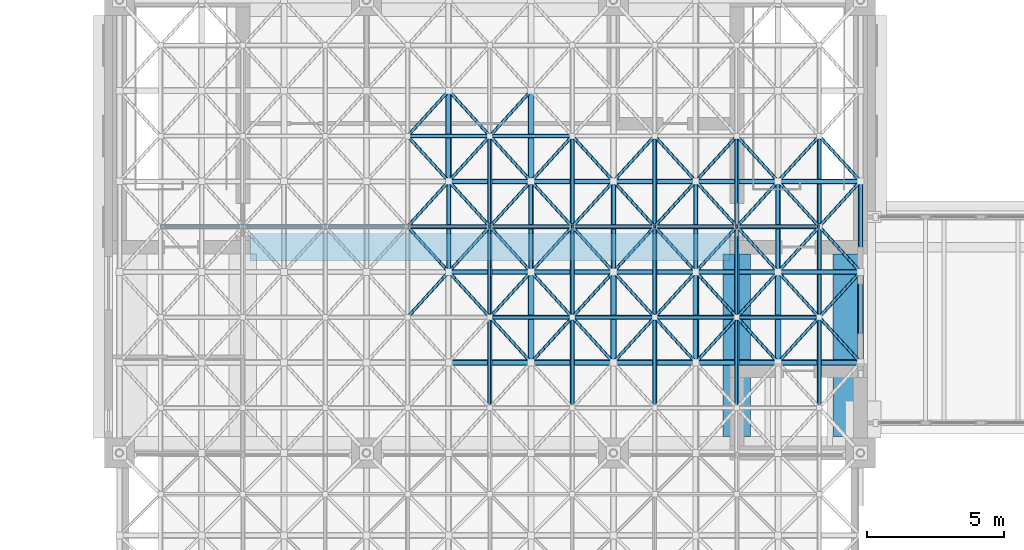
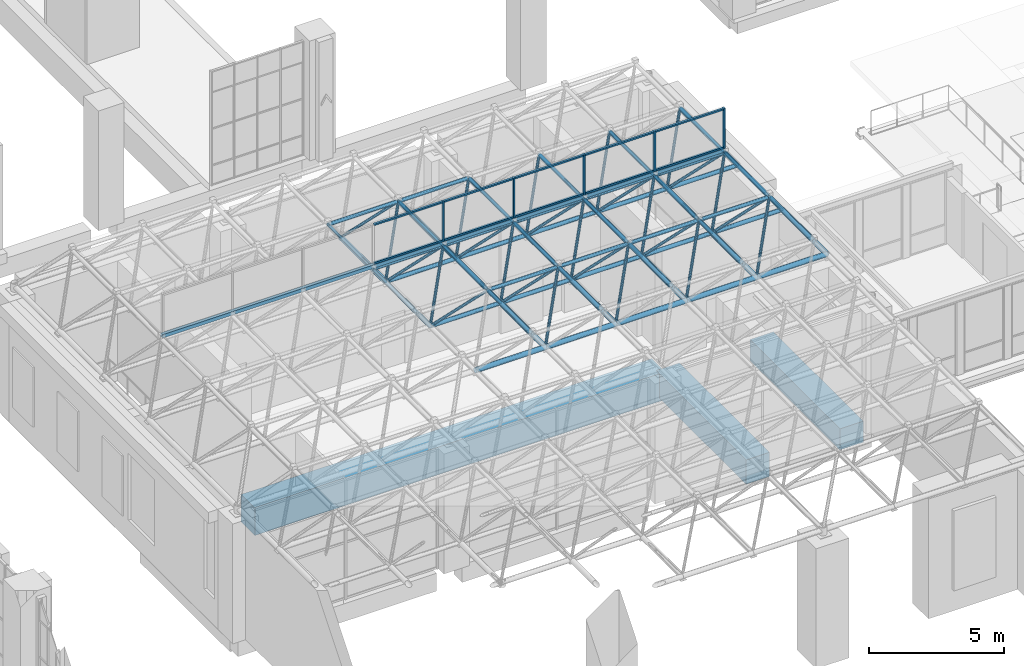
# One storey, part 8 of 53: 126 members, 3 beams, 1 element without a shape of its own.
"""IFC4 building model written with IfcOpenShell, lengths in metres."""

from ifc_helpers import new_model, si_unit, direction, frame, origin, origin_2d, place, context, subcontext, project, spatial, rectangle, hollow_rectangle, hollow_circle, extrude, material, layer, layer_set, material_profile, profile_set, type_object, element, aggregate, save


model = new_model("IFC4")

# Units and contexts
model_context = context("Model", 3, precision=1e-05, world=origin(), true_north=direction((0.0, 1.0)))
body_context = subcontext(model_context, "Body", "Model", "MODEL_VIEW")
ifc_project = project(units=[si_unit("LENGTHUNIT", "METRE"), si_unit("AREAUNIT", "SQUARE_METRE"), si_unit("VOLUMEUNIT", "CUBIC_METRE"), si_unit("PLANEANGLEUNIT", "RADIAN"), si_unit("MASSUNIT", "GRAM", prefix="KILO")], contexts=[model_context])

# Site, building, storey
site_placement = place(None, origin())
site = spatial("IfcSite", under=ifc_project, at=site_placement, CompositionType="ELEMENT")
building_placement = place(site_placement, origin())
building = spatial("IfcBuilding", under=site, at=building_placement, Name="Aurelan Courthouse", CompositionType="ELEMENT")
storey_placement = place(building_placement, frame((0.0, 0.0, 12.0)))
storey = spatial("IfcBuildingStorey", under=building, at=storey_placement, Name="L02", CompositionType="ELEMENT", Elevation=12.0)

# Curtain wall, members
ifc_material_1 = material(Name="Bronze-finished aluminium and glass", Category="aluminium")
ifc_layer = layer(ifc_material_1, 0.10009765625)
ifc_layer_set = layer_set([ifc_layer], Name="Bronze-finished aluminium and glass")
curtain_wall_type = type_object("IfcCurtainWallType", Name="North light 24000 x 1800", PredefinedType="NOTDEFINED", material=ifc_layer_set)
curtain_wall_placement = place(storey_placement, origin())
curtain_wall = element("IfcCurtainWall", 1, at=curtain_wall_placement, inside=storey, type_object=curtain_wall_type, Name="Curtain wall CW-V1-L02-NL01", PredefinedType="NOTDEFINED")
ifc_material_2 = material(Name="Bronze-finished aluminium", Category="aluminium")
ifc_material_profile_1 = material_profile(ifc_material_2, rectangle(XDim=0.1201171875, YDim=0.070068359375, at=origin_2d()), Name="North light mullion 70 x 120")
ifc_profile_set_1 = profile_set([ifc_material_profile_1], Name="Bronze-finished aluminium")
member_type_1 = type_object("IfcMemberType", Name="North light mullion 70 x 120", PredefinedType="MULLION", material=ifc_profile_set_1)
member_1_placement = place(storey_placement, frame((49.5, 20.25, 7.919921875), z_axis=(0.0, 0.0, 1.0), x_axis=(0.0, 1.0, 0.0)))
member_1 = element("IfcMember", 2, at=member_1_placement, type_object=member_type_1, Name="CW-V1-L02-NL01 mullion 5", PredefinedType="MULLION", context=body_context, shape_type="SweptSolid", body=[
    extrude(rectangle(XDim=0.1201171875, YDim=0.070068359375, at=origin_2d()), origin(), (0.0, 0.0, 1.0), 1.7998046875),
])
member_2_placement = place(storey_placement, frame((52.5, 20.25, 7.919921875), z_axis=(0.0, 0.0, 1.0), x_axis=(0.0, 1.0, 0.0)))
member_2 = element("IfcMember", 3, at=member_2_placement, type_object=member_type_1, Name="CW-V1-L02-NL01 mullion 6", PredefinedType="MULLION", context=body_context, shape_type="SweptSolid", body=[
    extrude(rectangle(XDim=0.1201171875, YDim=0.070068359375, at=origin_2d()), origin(), (0.0, 0.0, 1.0), 1.7998046875),
])
member_3_placement = place(storey_placement, frame((55.5, 20.25, 7.919921875), z_axis=(0.0, 0.0, 1.0), x_axis=(0.0, 1.0, 0.0)))
member_3 = element("IfcMember", 4, at=member_3_placement, type_object=member_type_1, Name="CW-V1-L02-NL01 mullion 7", PredefinedType="MULLION", context=body_context, shape_type="SweptSolid", body=[
    extrude(rectangle(XDim=0.1201171875, YDim=0.070068359375, at=origin_2d()), origin(), (0.0, 0.0, 1.0), 1.7998046875),
])
member_4_placement = place(storey_placement, frame((58.5, 20.25, 7.919921875), z_axis=(0.0, 0.0, 1.0), x_axis=(0.0, 1.0, 0.0)))
member_4 = element("IfcMember", 5, at=member_4_placement, type_object=member_type_1, Name="CW-V1-L02-NL01 mullion 8", PredefinedType="MULLION", context=body_context, shape_type="SweptSolid", body=[
    extrude(rectangle(XDim=0.1201171875, YDim=0.070068359375, at=origin_2d()), origin(), (0.0, 0.0, 1.0), 1.7998046875),
])
member_5_placement = place(storey_placement, frame((61.465087890625, 20.25, 7.919921875), z_axis=(0.0, 0.0, 1.0), x_axis=(0.0, 1.0, 0.0)))
member_5 = element("IfcMember", 6, at=member_5_placement, type_object=member_type_1, Name="CW-V1-L02-NL01 mullion 9", PredefinedType="MULLION", context=body_context, shape_type="SweptSolid", body=[
    extrude(rectangle(XDim=0.1201171875, YDim=0.070068359375, at=origin_2d()), origin(), (0.0, 0.0, 1.0), 1.7998046875),
])

# Member
ifc_material_profile_2 = material_profile(ifc_material_2, hollow_rectangle(XDim=0.14990234375, YDim=0.14990234375, WallThickness=0.008056640625, at=origin_2d()), Name="North light rail 150 x 150")
ifc_profile_set_2 = profile_set([ifc_material_profile_2], Name="Bronze-finished aluminium")
member_type_2 = type_object("IfcMemberType", Name="North light rail 150 x 150", PredefinedType="USERDEFINED", material=ifc_profile_set_2)
member_6_placement = place(storey_placement, frame((37.5, 20.25, 7.8447265625), z_axis=(1.0, 0.0, 0.0), x_axis=(0.0, 1.0, 0.0)))
element("IfcMember", 7, at=member_6_placement, inside=storey, type_object=member_type_2, Name="North light sill rail", ObjectType="RAIL", PredefinedType="USERDEFINED", context=body_context, shape_type="SweptSolid", body=[
    extrude(hollow_rectangle(XDim=0.14990234375, YDim=0.14990234375, WallThickness=0.008056640625, at=origin_2d()), origin(), (0.0, 0.0, 1.0), 24.0),
])

ifc_material_profile_3 = material_profile(ifc_material_2, rectangle(XDim=0.090087890625, YDim=0.070068359375, at=origin_2d()), Name="North light transom 70 x 90")
ifc_profile_set_3 = profile_set([ifc_material_profile_3], Name="Bronze-finished aluminium")
member_type_3 = type_object("IfcMemberType", Name="North light transom 70 x 90", PredefinedType="USERDEFINED", material=ifc_profile_set_3)
member_7_placement = place(storey_placement, frame((46.534912109375, 20.25, 7.954833984375), z_axis=(1.0, 0.0, 0.0), x_axis=(0.0, 1.0, 0.0)))
member_7 = element("IfcMember", 8, at=member_7_placement, type_object=member_type_3, Name="CW-V1-L02-NL01 transom 4.1", ObjectType="TRANSOM", PredefinedType="USERDEFINED", context=body_context, shape_type="SweptSolid", body=[
    extrude(rectangle(XDim=0.090087890625, YDim=0.070068359375, at=origin_2d()), origin(), (0.0, 0.0, 1.0), 2.93017578125),
])

member_8_placement = place(storey_placement, frame((46.534912109375, 20.25, 9.684814453125), z_axis=(1.0, 0.0, 0.0), x_axis=(0.0, 1.0, 0.0)))
member_8 = element("IfcMember", 9, at=member_8_placement, type_object=member_type_3, Name="CW-V1-L02-NL01 transom 4.2", ObjectType="TRANSOM", PredefinedType="USERDEFINED", context=body_context, shape_type="SweptSolid", body=[
    extrude(rectangle(XDim=0.090087890625, YDim=0.070068359375, at=origin_2d()), origin(), (0.0, 0.0, 1.0), 2.93017578125),
])

member_9_placement = place(storey_placement, frame((49.534912109375, 20.25, 7.954833984375), z_axis=(1.0, 0.0, 0.0), x_axis=(0.0, 1.0, 0.0)))
member_9 = element("IfcMember", 10, at=member_9_placement, type_object=member_type_3, Name="CW-V1-L02-NL01 transom 5.1", ObjectType="TRANSOM", PredefinedType="USERDEFINED", context=body_context, shape_type="SweptSolid", body=[
    extrude(rectangle(XDim=0.090087890625, YDim=0.070068359375, at=origin_2d()), origin(), (0.0, 0.0, 1.0), 2.93017578125),
])

member_10_placement = place(storey_placement, frame((49.534912109375, 20.25, 9.684814453125), z_axis=(1.0, 0.0, 0.0), x_axis=(0.0, 1.0, 0.0)))
member_10 = element("IfcMember", 11, at=member_10_placement, type_object=member_type_3, Name="CW-V1-L02-NL01 transom 5.2", ObjectType="TRANSOM", PredefinedType="USERDEFINED", context=body_context, shape_type="SweptSolid", body=[
    extrude(rectangle(XDim=0.090087890625, YDim=0.070068359375, at=origin_2d()), origin(), (0.0, 0.0, 1.0), 2.93017578125),
])

member_11_placement = place(storey_placement, frame((52.534912109375, 20.25, 7.954833984375), z_axis=(1.0, 0.0, 0.0), x_axis=(0.0, 1.0, 0.0)))
member_11 = element("IfcMember", 12, at=member_11_placement, type_object=member_type_3, Name="CW-V1-L02-NL01 transom 6.1", ObjectType="TRANSOM", PredefinedType="USERDEFINED", context=body_context, shape_type="SweptSolid", body=[
    extrude(rectangle(XDim=0.090087890625, YDim=0.070068359375, at=origin_2d()), origin(), (0.0, 0.0, 1.0), 2.93017578125),
])

member_12_placement = place(storey_placement, frame((52.534912109375, 20.25, 9.684814453125), z_axis=(1.0, 0.0, 0.0), x_axis=(0.0, 1.0, 0.0)))
member_12 = element("IfcMember", 13, at=member_12_placement, type_object=member_type_3, Name="CW-V1-L02-NL01 transom 6.2", ObjectType="TRANSOM", PredefinedType="USERDEFINED", context=body_context, shape_type="SweptSolid", body=[
    extrude(rectangle(XDim=0.090087890625, YDim=0.070068359375, at=origin_2d()), origin(), (0.0, 0.0, 1.0), 2.93017578125),
])

member_13_placement = place(storey_placement, frame((55.534912109375, 20.25, 7.954833984375), z_axis=(1.0, 0.0, 0.0), x_axis=(0.0, 1.0, 0.0)))
member_13 = element("IfcMember", 14, at=member_13_placement, type_object=member_type_3, Name="CW-V1-L02-NL01 transom 7.1", ObjectType="TRANSOM", PredefinedType="USERDEFINED", context=body_context, shape_type="SweptSolid", body=[
    extrude(rectangle(XDim=0.090087890625, YDim=0.070068359375, at=origin_2d()), origin(), (0.0, 0.0, 1.0), 2.93017578125),
])

member_14_placement = place(storey_placement, frame((55.534912109375, 20.25, 9.684814453125), z_axis=(1.0, 0.0, 0.0), x_axis=(0.0, 1.0, 0.0)))
member_14 = element("IfcMember", 15, at=member_14_placement, type_object=member_type_3, Name="CW-V1-L02-NL01 transom 7.2", ObjectType="TRANSOM", PredefinedType="USERDEFINED", context=body_context, shape_type="SweptSolid", body=[
    extrude(rectangle(XDim=0.090087890625, YDim=0.070068359375, at=origin_2d()), origin(), (0.0, 0.0, 1.0), 2.93017578125),
])

member_15_placement = place(storey_placement, frame((58.534912109375, 20.25, 7.954833984375), z_axis=(1.0, 0.0, 0.0), x_axis=(0.0, 1.0, 0.0)))
member_15 = element("IfcMember", 16, at=member_15_placement, type_object=member_type_3, Name="CW-V1-L02-NL01 transom 8.1", ObjectType="TRANSOM", PredefinedType="USERDEFINED", context=body_context, shape_type="SweptSolid", body=[
    extrude(rectangle(XDim=0.090087890625, YDim=0.070068359375, at=origin_2d()), origin(), (0.0, 0.0, 1.0), 2.89501953125),
])

member_16_placement = place(storey_placement, frame((58.534912109375, 20.25, 9.684814453125), z_axis=(1.0, 0.0, 0.0), x_axis=(0.0, 1.0, 0.0)))
member_16 = element("IfcMember", 17, at=member_16_placement, type_object=member_type_3, Name="CW-V1-L02-NL01 transom 8.2", ObjectType="TRANSOM", PredefinedType="USERDEFINED", context=body_context, shape_type="SweptSolid", body=[
    extrude(rectangle(XDim=0.090087890625, YDim=0.070068359375, at=origin_2d()), origin(), (0.0, 0.0, 1.0), 2.89501953125),
])

aggregate(curtain_wall, [member_1, member_2, member_3, member_4, member_5, member_7, member_8, member_9, member_10, member_11, member_12, member_13, member_14, member_15, member_16])

# Beams
ifc_material_3 = material(Name="Concrete C50", Category="concrete")
ifc_material_profile_4 = material_profile(ifc_material_3, rectangle(XDim=1.0, YDim=0.949951171875, at=origin_2d()), Name="RC 1000 x 950")
ifc_profile_set_4 = profile_set([ifc_material_profile_4], Name="Concrete C50")
beam_type_1 = type_object("IfcBeamType", Name="PT girder 1000 x 950", PredefinedType="BEAM", material=ifc_profile_set_4)
beam_1_placement = place(storey_placement, frame((62.5, 12.60009765625, -0.77490234375), z_axis=(0.0, 1.0, 0.0), x_axis=(-1.0, 0.0, 0.0)))
element("IfcBeam", 18, at=beam_1_placement, inside=storey, type_object=beam_type_1, Name="Girder GB-8BC-E", PredefinedType="BEAM", context=body_context, shape_type="SweptSolid", body=[
    extrude(rectangle(XDim=1.0, YDim=0.949951171875, at=origin_2d()), origin(), (0.0, 0.0, 1.0), 6.64990234375),
])
ifc_material_4 = material(Name="Concrete C40", Category="concrete")
ifc_material_profile_5 = material_profile(ifc_material_4, rectangle(XDim=1.0, YDim=1.10009765625, at=origin_2d()), Name="RC 1000 x 1100")
ifc_profile_set_5 = profile_set([ifc_material_profile_5], Name="Concrete C40")
beam_type_2 = type_object("IfcBeamType", Name="RC trimmer beam 1000 x 1100", PredefinedType="JOIST", material=ifc_profile_set_5)
beam_2_placement = place(storey_placement, frame((58.5, 12.60009765625, -0.85009765625), z_axis=(0.0, 1.0, 0.0), x_axis=(-1.0, 0.0, 0.0)))
element("IfcBeam", 19, at=beam_2_placement, inside=storey, type_object=beam_type_2, Name="Trimmer beam TB-L02-002", PredefinedType="JOIST", context=body_context, shape_type="SweptSolid", body=[
    extrude(rectangle(XDim=1.0, YDim=1.10009765625, at=origin_2d()), origin(), (0.0, 0.0, 1.0), 6.64990234375),
])
ifc_material_profile_6 = material_profile(ifc_material_4, rectangle(XDim=1.0, YDim=1.25, at=origin_2d()), Name="RC 1000 x 1250")
ifc_profile_set_6 = profile_set([ifc_material_profile_6], Name="Concrete C40")
beam_type_3 = type_object("IfcBeamType", Name="RC trimmer beam 1000 x 1250", PredefinedType="JOIST", material=ifc_profile_set_6)
beam_3_placement = place(storey_placement, frame((40.75, 19.5, -0.925048828125), z_axis=(1.0, 0.0, 0.0), x_axis=(0.0, 1.0, 0.0)))
element("IfcBeam", 20, at=beam_3_placement, inside=storey, type_object=beam_type_3, Name="Trimmer beam TB-L02-003", PredefinedType="JOIST", context=body_context, shape_type="SweptSolid", body=[
    extrude(rectangle(XDim=1.0, YDim=1.25, at=origin_2d()), origin(), (0.0, 0.0, 1.0), 17.5),
])

# Members
ifc_material_5 = material(Name="Steel S355", Category="steel")
ifc_material_profile_7 = material_profile(ifc_material_5, hollow_circle(Radius=0.07958984375, WallThickness=0.006103515625, at=origin_2d()), Name="CHS 159 x 6")
ifc_profile_set_7 = profile_set([ifc_material_profile_7], Name="Steel S355")
member_type_4 = type_object("IfcMemberType", Name="Space frame chord CHS 159 x 6", PredefinedType="CHORD", material=ifc_profile_set_7)
for number, where, z_axis, x_axis, name in (
    (21, (49.5, 16.949951171875, 7.699951171875), (1.0, 0.0, 0.0), (0.0, 1.0, 0.0), "Space frame top chord SF-T2"),
    (22, (52.5, 16.949951171875, 7.699951171875), (1.0, 0.0, 0.0), (0.0, 1.0, 0.0), "Space frame top chord SF-T2"),
    (23, (55.5, 16.949951171875, 7.699951171875), (1.0, 0.0, 0.0), (0.0, 1.0, 0.0), "Space frame top chord SF-T2"),
    (24, (58.5, 16.949951171875, 7.699951171875), (1.0, 0.0, 0.0), (0.0, 1.0, 0.0), "Space frame top chord SF-T2"),
    (25, (46.5, 20.25, 7.699951171875), (1.0, 0.0, 0.0), (0.0, 1.0, 0.0), "Space frame top chord SF-T2"),
    (26, (49.5, 20.25, 7.699951171875), (1.0, 0.0, 0.0), (0.0, 1.0, 0.0), "Space frame top chord SF-T2"),
    (27, (52.5, 20.25, 7.699951171875), (1.0, 0.0, 0.0), (0.0, 1.0, 0.0), "Space frame top chord SF-T2"),
    (28, (55.5, 20.25, 7.699951171875), (1.0, 0.0, 0.0), (0.0, 1.0, 0.0), "Space frame top chord SF-T2"),
    (29, (58.5, 20.25, 7.699951171875), (1.0, 0.0, 0.0), (0.0, 1.0, 0.0), "Space frame top chord SF-T2"),
    (30, (46.5, 23.550048828125, 7.699951171875), (1.0, 0.0, 0.0), (0.0, 1.0, 0.0), "Space frame top chord SF-T2"),
    (31, (49.5, 23.550048828125, 7.699951171875), (1.0, 0.0, 0.0), (0.0, 1.0, 0.0), "Space frame top chord SF-T2"),
):
    element("IfcMember", number, at=place(storey_placement, frame(where, z_axis=z_axis, x_axis=x_axis)), inside=storey, type_object=member_type_4, Name=name, PredefinedType="CHORD", context=body_context, shape_type="SweptSolid", body=[
        extrude(hollow_circle(Radius=0.07958984375, WallThickness=0.006103515625, at=origin_2d()), origin(), (0.0, 0.0, 1.0), 3.0),
    ])
for number, where, z_axis, x_axis, name in (
    (32, (49.5, 13.64990234375, 7.699951171875), (0.0, 1.0, 0.0), (-1.0, 0.0, 0.0), "Space frame top chord SF-T2"),
    (33, (49.5, 16.949951171875, 7.699951171875), (0.0, 1.0, 0.0), (-1.0, 0.0, 0.0), "Space frame top chord SF-T2"),
    (34, (49.5, 20.25, 7.699951171875), (0.0, 1.0, 0.0), (-1.0, 0.0, 0.0), "Space frame top chord SF-T2"),
    (35, (52.5, 13.64990234375, 7.699951171875), (0.0, 1.0, 0.0), (-1.0, 0.0, 0.0), "Space frame top chord SF-T2"),
    (36, (52.5, 16.949951171875, 7.699951171875), (0.0, 1.0, 0.0), (-1.0, 0.0, 0.0), "Space frame top chord SF-T2"),
    (37, (52.5, 20.25, 7.699951171875), (0.0, 1.0, 0.0), (-1.0, 0.0, 0.0), "Space frame top chord SF-T2"),
    (38, (55.5, 13.64990234375, 7.699951171875), (0.0, 1.0, 0.0), (-1.0, 0.0, 0.0), "Space frame top chord SF-T2"),
    (39, (55.5, 16.949951171875, 7.699951171875), (0.0, 1.0, 0.0), (-1.0, 0.0, 0.0), "Space frame top chord SF-T2"),
    (40, (55.5, 20.25, 7.699951171875), (0.0, 1.0, 0.0), (-1.0, 0.0, 0.0), "Space frame top chord SF-T2"),
    (41, (58.5, 13.64990234375, 7.699951171875), (0.0, 1.0, 0.0), (-1.0, 0.0, 0.0), "Space frame top chord SF-T2"),
    (42, (58.5, 16.949951171875, 7.699951171875), (0.0, 1.0, 0.0), (-1.0, 0.0, 0.0), "Space frame top chord SF-T2"),
    (43, (58.5, 20.25, 7.699951171875), (0.0, 1.0, 0.0), (-1.0, 0.0, 0.0), "Space frame top chord SF-T2"),
):
    element("IfcMember", number, at=place(storey_placement, frame(where, z_axis=z_axis, x_axis=x_axis)), inside=storey, type_object=member_type_4, Name=name, PredefinedType="CHORD", context=body_context, shape_type="SweptSolid", body=[
        extrude(hollow_circle(Radius=0.07958984375, WallThickness=0.006103515625, at=origin_2d()), origin(), (0.0, 0.0, 1.0), 3.300048828125),
    ])
ifc_material_profile_8 = material_profile(ifc_material_5, hollow_circle(Radius=0.084228515625, WallThickness=0.008056640625, at=origin_2d()), Name="CHS 168.3 x 8")
ifc_profile_set_8 = profile_set([ifc_material_profile_8], Name="Steel S355")
member_type_5 = type_object("IfcMemberType", Name="Space frame chord CHS 168.3 x 8", PredefinedType="CHORD", material=ifc_profile_set_8)
for number, where, z_axis, x_axis, name in (
    (44, (61.5, 13.64990234375, 7.699951171875), (0.0, 1.0, 0.0), (-1.0, 0.0, 0.0), "Space frame top chord SF-T3"),
    (45, (61.5, 16.949951171875, 7.699951171875), (0.0, 1.0, 0.0), (-1.0, 0.0, 0.0), "Space frame top chord SF-T3"),
    (46, (61.5, 20.25, 7.699951171875), (0.0, 1.0, 0.0), (-1.0, 0.0, 0.0), "Space frame top chord SF-T3"),
):
    element("IfcMember", number, at=place(storey_placement, frame(where, z_axis=z_axis, x_axis=x_axis)), inside=storey, type_object=member_type_5, Name=name, PredefinedType="CHORD", context=body_context, shape_type="SweptSolid", body=[
        extrude(hollow_circle(Radius=0.084228515625, WallThickness=0.008056640625, at=origin_2d()), origin(), (0.0, 0.0, 1.0), 3.300048828125),
    ])
ifc_material_profile_9 = material_profile(ifc_material_5, hollow_circle(Radius=0.0888671875, WallThickness=0.00634765625, at=origin_2d()), Name="CHS 177.8 x 6.3")
ifc_profile_set_9 = profile_set([ifc_material_profile_9], Name="Steel S355")
member_type_6 = type_object("IfcMemberType", Name="Space frame chord CHS 177.8 x 6.3", PredefinedType="CHORD", material=ifc_profile_set_9)
for number, where, z_axis, x_axis, name in (
    (47, (48.0, 18.60009765625, 5.60009765625), (1.0, 0.0, 0.0), (0.0, 1.0, 0.0), "Space frame bottom chord SF-B2"),
    (48, (51.0, 18.60009765625, 5.60009765625), (1.0, 0.0, 0.0), (0.0, 1.0, 0.0), "Space frame bottom chord SF-B2"),
    (49, (54.0, 18.60009765625, 5.60009765625), (1.0, 0.0, 0.0), (0.0, 1.0, 0.0), "Space frame bottom chord SF-B2"),
    (50, (57.0, 18.60009765625, 5.60009765625), (1.0, 0.0, 0.0), (0.0, 1.0, 0.0), "Space frame bottom chord SF-B2"),
    (51, (60.0, 18.60009765625, 5.60009765625), (1.0, 0.0, 0.0), (0.0, 1.0, 0.0), "Space frame bottom chord SF-B2"),
    (52, (48.0, 21.89990234375, 5.60009765625), (1.0, 0.0, 0.0), (0.0, 1.0, 0.0), "Space frame bottom chord SF-B2"),
    (53, (51.0, 21.89990234375, 5.60009765625), (1.0, 0.0, 0.0), (0.0, 1.0, 0.0), "Space frame bottom chord SF-B2"),
    (54, (54.0, 21.89990234375, 5.60009765625), (1.0, 0.0, 0.0), (0.0, 1.0, 0.0), "Space frame bottom chord SF-B2"),
    (55, (57.0, 21.89990234375, 5.60009765625), (1.0, 0.0, 0.0), (0.0, 1.0, 0.0), "Space frame bottom chord SF-B2"),
    (56, (60.0, 21.89990234375, 5.60009765625), (1.0, 0.0, 0.0), (0.0, 1.0, 0.0), "Space frame bottom chord SF-B2"),
):
    element("IfcMember", number, at=place(storey_placement, frame(where, z_axis=z_axis, x_axis=x_axis)), inside=storey, type_object=member_type_6, Name=name, PredefinedType="CHORD", context=body_context, shape_type="SweptSolid", body=[
        extrude(hollow_circle(Radius=0.0888671875, WallThickness=0.00634765625, at=origin_2d()), origin(), (0.0, 0.0, 1.0), 3.0),
    ])
for number, where, z_axis, x_axis, name in (
    (57, (48.0, 18.60009765625, 5.60009765625), (0.0, 1.0, 0.0), (-1.0, 0.0, 0.0), "Space frame bottom chord SF-B2"),
    (58, (51.0, 18.60009765625, 5.60009765625), (0.0, 1.0, 0.0), (-1.0, 0.0, 0.0), "Space frame bottom chord SF-B2"),
    (59, (54.0, 18.60009765625, 5.60009765625), (0.0, 1.0, 0.0), (-1.0, 0.0, 0.0), "Space frame bottom chord SF-B2"),
    (60, (57.0, 18.60009765625, 5.60009765625), (0.0, 1.0, 0.0), (-1.0, 0.0, 0.0), "Space frame bottom chord SF-B2"),
    (61, (60.0, 18.60009765625, 5.60009765625), (0.0, 1.0, 0.0), (-1.0, 0.0, 0.0), "Space frame bottom chord SF-B2"),
    (62, (63.0, 18.60009765625, 5.60009765625), (0.0, 1.0, 0.0), (-1.0, 0.0, 0.0), "Space frame bottom chord SF-B2"),
):
    element("IfcMember", number, at=place(storey_placement, frame(where, z_axis=z_axis, x_axis=x_axis)), inside=storey, type_object=member_type_6, Name=name, PredefinedType="CHORD", context=body_context, shape_type="SweptSolid", body=[
        extrude(hollow_circle(Radius=0.0888671875, WallThickness=0.00634765625, at=origin_2d()), origin(), (0.0, 0.0, 1.0), 3.2998046875),
    ])
ifc_material_profile_10 = material_profile(ifc_material_5, hollow_circle(Radius=0.109619140625, WallThickness=0.010009765625, at=origin_2d()), Name="CHS 219.1 x 10")
ifc_profile_set_10 = profile_set([ifc_material_profile_10], Name="Steel S355")
member_type_7 = type_object("IfcMemberType", Name="Space frame chord CHS 219.1 x 10", PredefinedType="CHORD", material=ifc_profile_set_10)
for number, where, z_axis, x_axis, name in (
    (63, (48.0, 15.300048828125, 5.60009765625), (1.0, 0.0, 0.0), (0.0, 1.0, 0.0), "Space frame bottom chord SF-B1"),
    (64, (51.0, 15.300048828125, 5.60009765625), (1.0, 0.0, 0.0), (0.0, 1.0, 0.0), "Space frame bottom chord SF-B1"),
    (65, (54.0, 15.300048828125, 5.60009765625), (1.0, 0.0, 0.0), (0.0, 1.0, 0.0), "Space frame bottom chord SF-B1"),
    (66, (57.0, 15.300048828125, 5.60009765625), (1.0, 0.0, 0.0), (0.0, 1.0, 0.0), "Space frame bottom chord SF-B1"),
    (67, (60.0, 15.300048828125, 5.60009765625), (1.0, 0.0, 0.0), (0.0, 1.0, 0.0), "Space frame bottom chord SF-B1"),
):
    element("IfcMember", number, at=place(storey_placement, frame(where, z_axis=z_axis, x_axis=x_axis)), inside=storey, type_object=member_type_7, Name=name, PredefinedType="CHORD", context=body_context, shape_type="SweptSolid", body=[
        extrude(hollow_circle(Radius=0.109619140625, WallThickness=0.010009765625, at=origin_2d()), origin(), (0.0, 0.0, 1.0), 3.0),
    ])
for number, where, z_axis, x_axis, name in (
    (68, (48.0, 21.89990234375, 5.60009765625), (0.0, 1.0, 0.0), (-1.0, 0.0, 0.0), "Space frame bottom chord SF-B1"),
    (69, (51.0, 15.300048828125, 5.60009765625), (0.0, 1.0, 0.0), (-1.0, 0.0, 0.0), "Space frame bottom chord SF-B1"),
    (70, (51.0, 21.89990234375, 5.60009765625), (0.0, 1.0, 0.0), (-1.0, 0.0, 0.0), "Space frame bottom chord SF-B1"),
    (71, (54.0, 15.300048828125, 5.60009765625), (0.0, 1.0, 0.0), (-1.0, 0.0, 0.0), "Space frame bottom chord SF-B1"),
    (72, (57.0, 15.300048828125, 5.60009765625), (0.0, 1.0, 0.0), (-1.0, 0.0, 0.0), "Space frame bottom chord SF-B1"),
    (73, (60.0, 15.300048828125, 5.60009765625), (0.0, 1.0, 0.0), (-1.0, 0.0, 0.0), "Space frame bottom chord SF-B1"),
    (74, (63.0, 15.300048828125, 5.60009765625), (0.0, 1.0, 0.0), (-1.0, 0.0, 0.0), "Space frame bottom chord SF-B1"),
):
    element("IfcMember", number, at=place(storey_placement, frame(where, z_axis=z_axis, x_axis=x_axis)), inside=storey, type_object=member_type_7, Name=name, PredefinedType="CHORD", context=body_context, shape_type="SweptSolid", body=[
        extrude(hollow_circle(Radius=0.109619140625, WallThickness=0.010009765625, at=origin_2d()), origin(), (0.0, 0.0, 1.0), 3.300048828125),
    ])
ifc_material_profile_11 = material_profile(ifc_material_5, hollow_circle(Radius=0.05712890625, WallThickness=0.00390625, at=origin_2d()), Name="CHS 114.3 x 4")
ifc_profile_set_11 = profile_set([ifc_material_profile_11], Name="Steel S355")
member_type_8 = type_object("IfcMemberType", Name="Space frame diagonal CHS 114.3 x 4", PredefinedType="BRACE", material=ifc_profile_set_11)
for number, where, z_axis, x_axis, name in (
    (75, (46.5, 16.949951171875, 7.699951171875), (0.489705546256, 0.538723923689, -0.685539941951), (-0.739969795529, 0.672640098199, 0.0), "Space frame diagonal SF-D2"),
    (76, (46.5, 20.25, 7.699951171875), (0.489726573432, -0.538667347535, -0.685569377944), (0.739920256233, 0.672694592231, 0.0), "Space frame diagonal SF-D2"),
    (77, (46.5, 20.25, 7.699951171875), (0.489726573432, 0.538667347535, -0.685569377944), (-0.739920256233, 0.672694592231, 0.0), "Space frame diagonal SF-D2"),
    (78, (46.5, 23.550048828125, 7.699951171875), (0.489705546256, -0.538723923689, -0.685539941951), (0.739969795529, 0.672640098199, 0.0), "Space frame diagonal SF-D2"),
    (79, (46.5, 23.550048828125, 7.699951171875), (0.489726573432, 0.538667347535, -0.685569377944), (-0.739920256233, 0.672694592231, 0.0), "Space frame diagonal SF-D2"),
    (80, (49.5, 16.949951171875, 7.699951171875), (-0.489705546256, 0.538723923689, -0.685539941951), (-0.739969795529, -0.672640098199, 0.0), "Space frame diagonal SF-D2"),
    (81, (49.5, 16.949951171875, 7.699951171875), (0.489726573432, -0.538667347535, -0.685569377944), (0.739920256233, 0.672694592231, 0.0), "Space frame diagonal SF-D2"),
    (82, (49.5, 16.949951171875, 7.699951171875), (0.489705546256, 0.538723923689, -0.685539941951), (-0.739969795529, 0.672640098199, 0.0), "Space frame diagonal SF-D2"),
    (83, (49.5, 20.25, 7.699951171875), (-0.489726573432, -0.538667347535, -0.685569377944), (0.739920256233, -0.672694592231, 0.0), "Space frame diagonal SF-D2"),
    (84, (49.5, 20.25, 7.699951171875), (-0.489726573432, 0.538667347535, -0.685569377944), (-0.739920256233, -0.672694592231, 0.0), "Space frame diagonal SF-D2"),
    (85, (49.5, 20.25, 7.699951171875), (0.489726573432, -0.538667347535, -0.685569377944), (0.739920256233, 0.672694592231, 0.0), "Space frame diagonal SF-D2"),
    (86, (49.5, 20.25, 7.699951171875), (0.489726573432, 0.538667347535, -0.685569377944), (-0.739920256233, 0.672694592231, 0.0), "Space frame diagonal SF-D2"),
    (87, (49.5, 23.550048828125, 7.699951171875), (-0.489705546256, -0.538723923689, -0.685539941951), (0.739969795529, -0.672640098199, 0.0), "Space frame diagonal SF-D2"),
    (88, (49.5, 23.550048828125, 7.699951171875), (-0.489726573432, 0.538667347535, -0.685569377944), (-0.739920256233, -0.672694592231, 0.0), "Space frame diagonal SF-D2"),
    (89, (49.5, 23.550048828125, 7.699951171875), (0.489705546256, -0.538723923689, -0.685539941951), (0.739969795529, 0.672640098199, 0.0), "Space frame diagonal SF-D2"),
    (90, (49.5, 23.550048828125, 7.699951171875), (0.489726573432, 0.538667347535, -0.685569377944), (-0.739920256233, 0.672694592231, 0.0), "Space frame diagonal SF-D2"),
    (91, (52.5, 16.949951171875, 7.699951171875), (-0.489726573432, -0.538667347535, -0.685569377944), (0.739920256233, -0.672694592231, 0.0), "Space frame diagonal SF-D2"),
    (92, (52.5, 16.949951171875, 7.699951171875), (-0.489705546256, 0.538723923689, -0.685539941951), (-0.739969795529, -0.672640098199, 0.0), "Space frame diagonal SF-D2"),
    (93, (52.5, 16.949951171875, 7.699951171875), (0.489726573432, -0.538667347535, -0.685569377944), (0.739920256233, 0.672694592231, 0.0), "Space frame diagonal SF-D2"),
    (94, (52.5, 16.949951171875, 7.699951171875), (0.489705546256, 0.538723923689, -0.685539941951), (-0.739969795529, 0.672640098199, 0.0), "Space frame diagonal SF-D2"),
    (95, (52.5, 20.25, 7.699951171875), (-0.489726573432, -0.538667347535, -0.685569377944), (0.739920256233, -0.672694592231, 0.0), "Space frame diagonal SF-D2"),
    (96, (52.5, 20.25, 7.699951171875), (-0.489726573432, 0.538667347535, -0.685569377944), (-0.739920256233, -0.672694592231, 0.0), "Space frame diagonal SF-D2"),
    (97, (52.5, 20.25, 7.699951171875), (0.489726573432, -0.538667347535, -0.685569377944), (0.739920256233, 0.672694592231, 0.0), "Space frame diagonal SF-D2"),
    (98, (52.5, 20.25, 7.699951171875), (0.489726573432, 0.538667347535, -0.685569377944), (-0.739920256233, 0.672694592231, 0.0), "Space frame diagonal SF-D2"),
    (99, (52.5, 23.550048828125, 7.699951171875), (-0.489705546256, -0.538723923689, -0.685539941951), (0.739969795529, -0.672640098199, 0.0), "Space frame diagonal SF-D2"),
    (100, (52.5, 23.550048828125, 7.699951171875), (0.489705546256, -0.538723923689, -0.685539941951), (0.739969795529, 0.672640098199, 0.0), "Space frame diagonal SF-D2"),
    (101, (55.5, 16.949951171875, 7.699951171875), (-0.489726573432, -0.538667347535, -0.685569377944), (0.739920256233, -0.672694592231, 0.0), "Space frame diagonal SF-D2"),
    (102, (55.5, 16.949951171875, 7.699951171875), (-0.489705546256, 0.538723923689, -0.685539941951), (-0.739969795529, -0.672640098199, 0.0), "Space frame diagonal SF-D2"),
    (103, (55.5, 16.949951171875, 7.699951171875), (0.489726573432, -0.538667347535, -0.685569377944), (0.739920256233, 0.672694592231, 0.0), "Space frame diagonal SF-D2"),
    (104, (55.5, 16.949951171875, 7.699951171875), (0.489705546256, 0.538723923689, -0.685539941951), (-0.739969795529, 0.672640098199, 0.0), "Space frame diagonal SF-D2"),
    (105, (55.5, 20.25, 7.699951171875), (-0.489726573432, -0.538667347535, -0.685569377944), (0.739920256233, -0.672694592231, 0.0), "Space frame diagonal SF-D2"),
    (106, (55.5, 20.25, 7.699951171875), (-0.489726573432, 0.538667347535, -0.685569377944), (-0.739920256233, -0.672694592231, 0.0), "Space frame diagonal SF-D2"),
    (107, (55.5, 20.25, 7.699951171875), (0.489726573432, -0.538667347535, -0.685569377944), (0.739920256233, 0.672694592231, 0.0), "Space frame diagonal SF-D2"),
    (108, (55.5, 20.25, 7.699951171875), (0.489726573432, 0.538667347535, -0.685569377944), (-0.739920256233, 0.672694592231, 0.0), "Space frame diagonal SF-D2"),
    (109, (55.5, 23.550048828125, 7.699951171875), (-0.489705546256, -0.538723923689, -0.685539941951), (0.739969795529, -0.672640098199, 0.0), "Space frame diagonal SF-D2"),
    (110, (55.5, 23.550048828125, 7.699951171875), (0.489705546256, -0.538723923689, -0.685539941951), (0.739969795529, 0.672640098199, 0.0), "Space frame diagonal SF-D2"),
    (111, (58.5, 16.949951171875, 7.699951171875), (-0.489726573432, -0.538667347535, -0.685569377944), (0.739920256233, -0.672694592231, 0.0), "Space frame diagonal SF-D2"),
    (112, (58.5, 16.949951171875, 7.699951171875), (-0.489705546256, 0.538723923689, -0.685539941951), (-0.739969795529, -0.672640098199, 0.0), "Space frame diagonal SF-D2"),
    (113, (58.5, 16.949951171875, 7.699951171875), (0.489726573432, -0.538667347535, -0.685569377944), (0.739920256233, 0.672694592231, 0.0), "Space frame diagonal SF-D2"),
    (114, (58.5, 16.949951171875, 7.699951171875), (0.489705546256, 0.538723923689, -0.685539941951), (-0.739969795529, 0.672640098199, 0.0), "Space frame diagonal SF-D2"),
    (115, (58.5, 20.25, 7.699951171875), (-0.489726573432, -0.538667347535, -0.685569377944), (0.739920256233, -0.672694592231, 0.0), "Space frame diagonal SF-D2"),
    (116, (58.5, 20.25, 7.699951171875), (-0.489726573432, 0.538667347535, -0.685569377944), (-0.739920256233, -0.672694592231, 0.0), "Space frame diagonal SF-D2"),
    (117, (58.5, 20.25, 7.699951171875), (0.489726573432, -0.538667347535, -0.685569377944), (0.739920256233, 0.672694592231, 0.0), "Space frame diagonal SF-D2"),
    (118, (58.5, 20.25, 7.699951171875), (0.489726573432, 0.538667347535, -0.685569377944), (-0.739920256233, 0.672694592231, 0.0), "Space frame diagonal SF-D2"),
    (119, (58.5, 23.550048828125, 7.699951171875), (-0.489705546256, -0.538723923689, -0.685539941951), (0.739969795529, -0.672640098199, 0.0), "Space frame diagonal SF-D2"),
    (120, (58.5, 23.550048828125, 7.699951171875), (0.489705546256, -0.538723923689, -0.685539941951), (0.739969795529, 0.672640098199, 0.0), "Space frame diagonal SF-D2"),
    (121, (61.5, 16.949951171875, 7.699951171875), (-0.489726573432, -0.538667347535, -0.685569377944), (0.739920256233, -0.672694592231, 0.0), "Space frame diagonal SF-D2"),
    (122, (61.5, 16.949951171875, 7.699951171875), (-0.489705546256, 0.538723923689, -0.685539941951), (-0.739969795529, -0.672640098199, 0.0), "Space frame diagonal SF-D2"),
    (123, (61.5, 16.949951171875, 7.699951171875), (0.489726573432, -0.538667347535, -0.685569377944), (0.739920256233, 0.672694592231, 0.0), "Space frame diagonal SF-D2"),
    (124, (61.5, 16.949951171875, 7.699951171875), (0.489705546256, 0.538723923689, -0.685539941951), (-0.739969795529, 0.672640098199, 0.0), "Space frame diagonal SF-D2"),
    (125, (61.5, 20.25, 7.699951171875), (-0.489726573432, -0.538667347535, -0.685569377944), (0.739920256233, -0.672694592231, 0.0), "Space frame diagonal SF-D2"),
    (126, (61.5, 20.25, 7.699951171875), (-0.489726573432, 0.538667347535, -0.685569377944), (-0.739920256233, -0.672694592231, 0.0), "Space frame diagonal SF-D2"),
    (127, (61.5, 20.25, 7.699951171875), (0.489726573432, -0.538667347535, -0.685569377944), (0.739920256233, 0.672694592231, 0.0), "Space frame diagonal SF-D2"),
    (128, (61.5, 20.25, 7.699951171875), (0.489726573432, 0.538667347535, -0.685569377944), (-0.739920256233, 0.672694592231, 0.0), "Space frame diagonal SF-D2"),
    (129, (61.5, 23.550048828125, 7.699951171875), (-0.489705546256, -0.538723923689, -0.685539941951), (0.739969795529, -0.672640098199, 0.0), "Space frame diagonal SF-D2"),
    (130, (61.5, 23.550048828125, 7.699951171875), (0.489705546256, -0.538723923689, -0.685539941951), (0.739969795529, 0.672640098199, 0.0), "Space frame diagonal SF-D2"),
):
    element("IfcMember", number, at=place(storey_placement, frame(where, z_axis=z_axis, x_axis=x_axis)), inside=storey, type_object=member_type_8, Name=name, PredefinedType="BRACE", context=body_context, shape_type="SweptSolid", body=[
        extrude(hollow_circle(Radius=0.05712890625, WallThickness=0.00390625, at=origin_2d()), origin(), (0.0, 0.0, 1.0), 3.06298828125),
    ])

save(model, "model.ifc")
